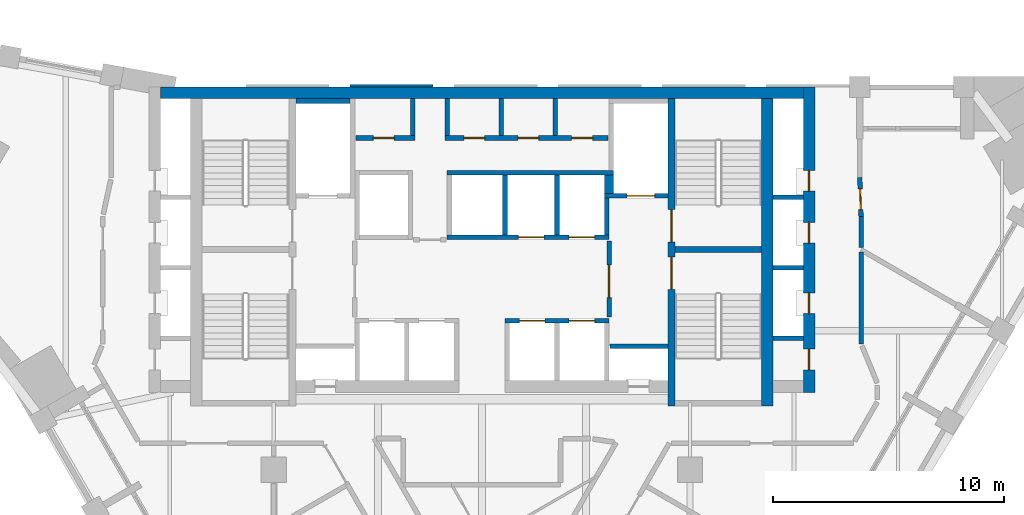
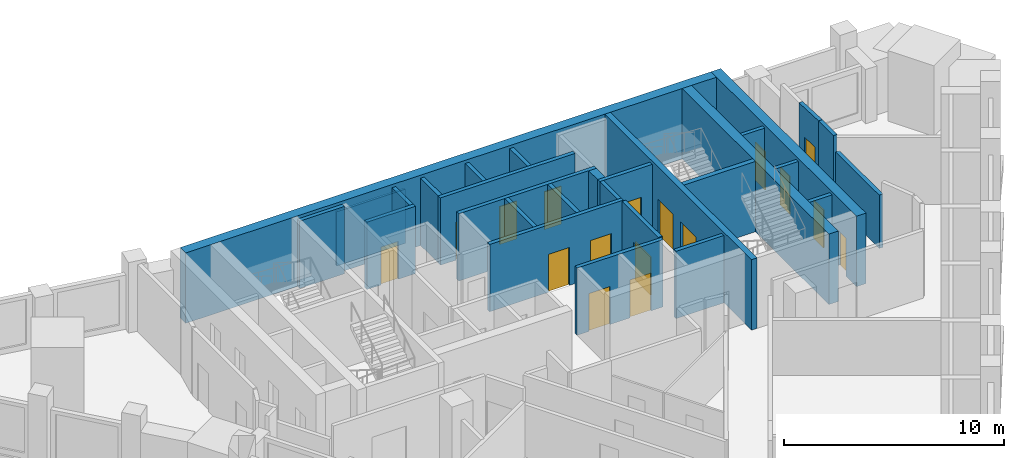
# One storey, part 6 of 9: 29 walls, 17 doors, 17 openings.
"""IFC4 building model written with IfcOpenShell, lengths in metres."""

from ifc_helpers import new_model, si_unit, direction, frame, frame_2d, origin, place, context, subcontext, project, spatial, polyline, rectangle, outline, extrude, material, layer, layer_set, type_object, element, fill, save


model = new_model("IFC4")

# Units and contexts
model_context = context("Model", 3, precision=1e-05, world=origin(), true_north=direction((0.0, 1.0)))
body_context = subcontext(model_context, "Body", "Model", "MODEL_VIEW")
ifc_project = project(units=[si_unit("LENGTHUNIT", "METRE"), si_unit("AREAUNIT", "SQUARE_METRE"), si_unit("VOLUMEUNIT", "CUBIC_METRE"), si_unit("PLANEANGLEUNIT", "RADIAN"), si_unit("MASSUNIT", "GRAM", prefix="KILO")], contexts=[model_context])

# Site, building, storey
site_placement = place(None, origin())
site = spatial("IfcSite", under=ifc_project, at=site_placement, CompositionType="ELEMENT")
building_placement = place(site_placement, origin())
building = spatial("IfcBuilding", under=site, at=building_placement, Name="Calabash Gate Tower", CompositionType="ELEMENT")
storey_placement = place(building_placement, frame((0.0, 0.0, 223.699951171875)))
storey = spatial("IfcBuildingStorey", under=building, at=storey_placement, Name="L53", CompositionType="ELEMENT", Elevation=223.699951171875)

# Walls
ifc_material_1 = material(Name="Gypsum board on steel studs, mineral wool", Category="steel")
ifc_layer_1 = layer(ifc_material_1, 0.199951171875)
ifc_layer_set_1 = layer_set([ifc_layer_1], Name="Core partition 200 gypsum board")
wall_type_1 = type_object("IfcWallType", Name="Core partition 200 gypsum board", PredefinedType="PARTITIONING", material=ifc_layer_set_1)
for number, where, z_axis, x_axis, name in (
    (1, (-3.0, 16.95263671875, 0.0), (0.0, 0.0, 1.0), (0.0, 1.0, 0.0), "Core partition"),
    (2, (-1.5, 16.95263671875, 0.0), (0.0, 0.0, 1.0), (0.0, 1.0, 0.0), "Core partition"),
    (3, (0.833251953125, 16.95263671875, 0.0), (0.0, 0.0, 1.0), (0.0, 1.0, 0.0), "Core partition"),
    (4, (3.166748046875, 16.95263671875, 0.0), (0.0, 0.0, 1.0), (0.0, 1.0, 0.0), "Core partition"),
):
    element("IfcWall", number, at=place(storey_placement, frame(where, z_axis=z_axis, x_axis=x_axis)), inside=storey, type_object=wall_type_1, Name=name, PredefinedType="PARTITIONING", context=body_context, shape_type="SweptSolid", body=[
        extrude(rectangle(XDim=1.599853515625, YDim=0.199951171875, at=frame_2d((0.7998046875, 0.0))), origin(), (0.0, 0.0, 1.0), 3.72998046875),
    ])
ifc_material_2 = material(Name="Concrete C70/85", Category="concrete")
ifc_layer_2 = layer(ifc_material_2, 0.25)
ifc_layer_set_2 = layer_set([ifc_layer_2], Name="Core wall 250 Concrete C70/85")
wall_type_2 = type_object("IfcWallType", Name="Core wall 250 Concrete C70/85", PredefinedType="SHEAR", material=ifc_layer_set_2)
wall_1_placement = place(storey_placement, frame((8.35009765625, 12.027587890625, 0.0), z_axis=(0.0, 0.0, 1.0), x_axis=(1.0, 0.0, 0.0)))
element("IfcWall", 5, at=wall_1_placement, inside=storey, type_object=wall_type_2, Name="Core wall Z4-MIDE L53", PredefinedType="SHEAR", context=body_context, shape_type="SweptSolid", body=[
    extrude(rectangle(XDim=3.75, YDim=0.25, at=frame_2d((1.875, 0.0))), origin(), (0.0, 0.0, 1.0), 3.900146484375),
])

# Wall, openings, doors
ifc_material_3 = material(Name="Concrete C70/85", Category="concrete")
ifc_layer_3 = layer(ifc_material_3, 0.300048828125)
ifc_layer_set_3 = layer_set([ifc_layer_3], Name="Core wall 300 Concrete C70/85")
wall_type_3 = type_object("IfcWallType", Name="Core wall 300 Concrete C70/85", PredefinedType="SHEAR", material=ifc_layer_set_3)
wall_2_placement = place(storey_placement, frame((8.199951171875, 5.252685546875, 0.0), z_axis=(0.0, 0.0, 1.0), x_axis=(0.0, 1.0, 0.0)))
wall_2 = element("IfcWall", 6, at=wall_2_placement, inside=storey, type_object=wall_type_3, Name="Core wall Z4-PARTE L53", PredefinedType="SHEAR", context=body_context, shape_type="SweptSolid", body=[
    extrude(rectangle(XDim=13.2998046875, YDim=0.300048828125, at=frame_2d((6.64990234375, 0.0))), origin(), (0.0, 0.0, 1.0), 3.900146484375),
])
opening_1_placement = place(wall_2_placement, frame((7.10009765625, 0.0, 0.0)))
opening_1 = element("IfcOpeningElement", 7, at=opening_1_placement, cuts=wall_2, Name="Opening O7-020", PredefinedType="OPENING", context=body_context, shape_type="SweptSolid", body=[
    extrude(rectangle(XDim=1.39990234375, YDim=2.10009765625, at=frame_2d((0.699951171875, 1.050048828125))), frame((0.0, 0.159912109375, 0.0), z_axis=(0.0, -1.0, 0.0), x_axis=(1.0, 0.0, 0.0)), (0.0, 0.0, 1.0), 0.320068359375),
])
opening_2_placement = place(wall_2_placement, frame((5.050048828125, 0.0, 0.0)))
opening_2 = element("IfcOpeningElement", 8, at=opening_2_placement, cuts=wall_2, Name="Opening O7-021", PredefinedType="OPENING", context=body_context, shape_type="SweptSolid", body=[
    extrude(rectangle(XDim=1.39990234375, YDim=2.10009765625, at=frame_2d((0.699951171875, 1.050048828125))), frame((0.0, 0.159912109375, 0.0), z_axis=(0.0, -1.0, 0.0), x_axis=(1.0, 0.0, 0.0)), (0.0, 0.0, 1.0), 0.320068359375),
])
ifc_material_4 = material(Name="Steel fire door set with fire-resisting glazing", Category="steel")
door_type_1 = type_object("IfcDoorType", Name="Fire door D05 1400x2100 FD90", OperationType="NOTDEFINED", PredefinedType="DOOR", material=ifc_material_4)
door_1_placement = place(opening_1_placement, origin())
door_1 = element("IfcDoor", 9, at=door_1_placement, inside=storey, type_object=door_type_1, Name="Exit stair door ST3", OperationType="SINGLE_SWING_RIGHT", OverallHeight=2.10009765625, OverallWidth=1.39990234375, PredefinedType="DOOR", context=body_context, shape_type="SweptSolid", body=[
    extrude(rectangle(XDim=1.39990234375, YDim=2.10009765625, at=frame_2d((0.699951171875, 1.050048828125))), frame((0.0, 0.02490234375, 0.0), z_axis=(0.0, -1.0, 0.0), x_axis=(1.0, 0.0, 0.0)), (0.0, 0.0, 1.0), 0.050048828125),
])
fill(opening_1, door_1)
door_2_placement = place(opening_2_placement, origin())
door_2 = element("IfcDoor", 10, at=door_2_placement, inside=storey, type_object=door_type_1, Name="Exit stair door ST4", OperationType="SINGLE_SWING_LEFT", OverallHeight=2.10009765625, OverallWidth=1.39990234375, PredefinedType="DOOR", context=body_context, shape_type="SweptSolid", body=[
    extrude(rectangle(XDim=1.39990234375, YDim=2.10009765625, at=frame_2d((0.699951171875, 1.050048828125))), frame((0.0, 0.02490234375, 0.0), z_axis=(0.0, -1.0, 0.0), x_axis=(1.0, 0.0, 0.0)), (0.0, 0.0, 1.0), 0.050048828125),
])
fill(opening_2, door_2)

# Walls
ifc_material_5 = material(Name="Concrete C70/85", Category="concrete")
ifc_layer_4 = layer(ifc_material_5, 0.5)
ifc_layer_set_4 = layer_set([ifc_layer_4], Name="Core wall 500 Concrete C70/85")
wall_type_4 = type_object("IfcWallType", Name="Core wall 500 Concrete C70/85", PredefinedType="SHEAR", material=ifc_layer_set_4)
wall_3_placement = place(storey_placement, frame((-13.89990234375, 18.802490234375, 0.0), z_axis=(0.0, 0.0, 1.0), x_axis=(1.0, 0.0, 0.0)))
element("IfcWall", 11, at=wall_3_placement, inside=storey, type_object=wall_type_4, Name="Core wall Z4-N L53", PredefinedType="SHEAR", context=body_context, shape_type="SweptSolid", body=[
    extrude(rectangle(XDim=27.7998046875, YDim=0.5, at=frame_2d((13.89990234375, 0.0))), origin(), (0.0, 0.0, 1.0), 3.900146484375),
])
wall_4_placement = place(storey_placement, frame((12.35009765625, 5.252685546875, 0.0), z_axis=(0.0, 0.0, 1.0), x_axis=(0.0, 1.0, 0.0)))
element("IfcWall", 12, at=wall_4_placement, inside=storey, type_object=wall_type_4, Name="Core wall Z4-COLE L53", PredefinedType="SHEAR", context=body_context, shape_type="SweptSolid", body=[
    extrude(rectangle(XDim=13.2998046875, YDim=0.5, at=frame_2d((6.64990234375, 0.0))), origin(), (0.0, 0.0, 1.0), 3.900146484375),
])

# Wall, openings, doors
wall_5_placement = place(storey_placement, frame((14.14990234375, 5.8525390625, 0.0), z_axis=(0.0, 0.0, 1.0), x_axis=(0.0, 1.0, 0.0)))
wall_5 = element("IfcWall", 13, at=wall_5_placement, inside=storey, type_object=wall_type_4, Name="Core wall Z4-ENDE L53", PredefinedType="SHEAR", context=body_context, shape_type="SweptSolid", body=[
    extrude(rectangle(XDim=13.199951171875, YDim=0.5, at=frame_2d((6.60009765625, 0.0))), origin(), (0.0, 0.0, 1.0), 3.900146484375),
])
opening_3_placement = place(wall_5_placement, frame((0.965087890625, 0.0, 0.0)))
opening_3 = element("IfcOpeningElement", 14, at=opening_3_placement, cuts=wall_5, Name="Opening O7-001", PredefinedType="OPENING", context=body_context, shape_type="SweptSolid", body=[
    extrude(rectangle(XDim=0.89990234375, YDim=2.10009765625, at=frame_2d((0.449951171875, 1.050048828125))), frame((0.0, 0.260009765625, 0.0), z_axis=(0.0, -1.0, 0.0), x_axis=(1.0, 0.0, 0.0)), (0.0, 0.0, 1.0), 0.52001953125),
])
opening_4_placement = place(wall_5_placement, frame((3.405029296875, 0.0, 0.0)))
opening_4 = element("IfcOpeningElement", 15, at=opening_4_placement, cuts=wall_5, Name="Opening O7-002", PredefinedType="OPENING", context=body_context, shape_type="SweptSolid", body=[
    extrude(rectangle(XDim=0.89990234375, YDim=2.10009765625, at=frame_2d((0.449951171875, 1.050048828125))), frame((0.0, 0.260009765625, 0.0), z_axis=(0.0, -1.0, 0.0), x_axis=(1.0, 0.0, 0.0)), (0.0, 0.0, 1.0), 0.52001953125),
])
opening_5_placement = place(wall_5_placement, frame((6.455078125, 0.0, 0.0)))
opening_5 = element("IfcOpeningElement", 16, at=opening_5_placement, cuts=wall_5, Name="Opening O7-003", PredefinedType="OPENING", context=body_context, shape_type="SweptSolid", body=[
    extrude(rectangle(XDim=0.89990234375, YDim=2.10009765625, at=frame_2d((0.449951171875, 1.050048828125))), frame((0.0, 0.260009765625, 0.0), z_axis=(0.0, -1.0, 0.0), x_axis=(1.0, 0.0, 0.0)), (0.0, 0.0, 1.0), 0.52001953125),
])
opening_6_placement = place(wall_5_placement, frame((8.697509765625, 0.0, 0.0)))
opening_6 = element("IfcOpeningElement", 17, at=opening_6_placement, cuts=wall_5, Name="Opening O7-004", PredefinedType="OPENING", context=body_context, shape_type="SweptSolid", body=[
    extrude(rectangle(XDim=0.89990234375, YDim=2.10009765625, at=frame_2d((0.449951171875, 1.050048828125))), frame((0.0, 0.260009765625, 0.0), z_axis=(0.0, -1.0, 0.0), x_axis=(1.0, 0.0, 0.0)), (0.0, 0.0, 1.0), 0.52001953125),
])
ifc_material_6 = material(Name="Steel fire door set with fire-resisting glazing", Category="steel")
door_type_2 = type_object("IfcDoorType", Name="Fire door D06 900x2100 FD60", OperationType="NOTDEFINED", PredefinedType="DOOR", material=ifc_material_6)
door_3_placement = place(opening_3_placement, origin())
door_3 = element("IfcDoor", 18, at=door_3_placement, inside=storey, type_object=door_type_2, Name="Cleaner's Store door", OperationType="SINGLE_SWING_LEFT", OverallHeight=2.10009765625, OverallWidth=0.89990234375, PredefinedType="DOOR", context=body_context, shape_type="SweptSolid", body=[
    extrude(rectangle(XDim=0.89990234375, YDim=2.10009765625, at=frame_2d((0.449951171875, 1.050048828125))), frame((0.0, 0.02490234375, 0.0), z_axis=(0.0, -1.0, 0.0), x_axis=(1.0, 0.0, 0.0)), (0.0, 0.0, 1.0), 0.050048828125),
])
fill(opening_3, door_3)
door_4_placement = place(opening_4_placement, origin())
door_4 = element("IfcDoor", 19, at=door_4_placement, inside=storey, type_object=door_type_2, Name="Duct Riser door", OperationType="SINGLE_SWING_RIGHT", OverallHeight=2.10009765625, OverallWidth=0.89990234375, PredefinedType="DOOR", context=body_context, shape_type="SweptSolid", body=[
    extrude(rectangle(XDim=0.89990234375, YDim=2.10009765625, at=frame_2d((0.449951171875, 1.050048828125))), frame((0.0, 0.02490234375, 0.0), z_axis=(0.0, -1.0, 0.0), x_axis=(1.0, 0.0, 0.0)), (0.0, 0.0, 1.0), 0.050048828125),
])
fill(opening_4, door_4)
door_5_placement = place(opening_5_placement, origin())
door_5 = element("IfcDoor", 20, at=door_5_placement, inside=storey, type_object=door_type_2, Name="Electrical Riser door", OperationType="SINGLE_SWING_LEFT", OverallHeight=2.10009765625, OverallWidth=0.89990234375, PredefinedType="DOOR", context=body_context, shape_type="SweptSolid", body=[
    extrude(rectangle(XDim=0.89990234375, YDim=2.10009765625, at=frame_2d((0.449951171875, 1.050048828125))), frame((0.0, 0.02490234375, 0.0), z_axis=(0.0, -1.0, 0.0), x_axis=(1.0, 0.0, 0.0)), (0.0, 0.0, 1.0), 0.050048828125),
])
fill(opening_5, door_5)
door_6_placement = place(opening_6_placement, origin())
door_6 = element("IfcDoor", 21, at=door_6_placement, inside=storey, type_object=door_type_2, Name="Comms Riser door", OperationType="SINGLE_SWING_LEFT", OverallHeight=2.10009765625, OverallWidth=0.89990234375, PredefinedType="DOOR", context=body_context, shape_type="SweptSolid", body=[
    extrude(rectangle(XDim=0.89990234375, YDim=2.10009765625, at=frame_2d((0.449951171875, 1.050048828125))), frame((0.0, 0.02490234375, 0.0), z_axis=(0.0, -1.0, 0.0), x_axis=(1.0, 0.0, 0.0)), (0.0, 0.0, 1.0), 0.050048828125),
])
fill(opening_6, door_6)

# Walls
ifc_material_7 = material(Name="Gypsum board on steel studs, mineral wool", Category="steel")
ifc_layer_5 = layer(ifc_material_7, 0.199951171875)
ifc_layer_set_5 = layer_set([ifc_layer_5], Name="Partition 200 gypsum board EI 60")
wall_type_5 = type_object("IfcWallType", Name="Partition 200 gypsum board EI 60", PredefinedType="PARTITIONING", material=ifc_layer_set_5)
wall_6_placement = place(storey_placement, frame((16.400390625, 7.95263671875, 0.0), z_axis=(0.0, 0.0, 1.0), x_axis=(0.00043151272, 0.999999906898, 0.0)))
element("IfcWall", 22, at=wall_6_placement, inside=storey, type_object=wall_type_5, Name="Partition", PredefinedType="PARTITIONING", context=body_context, shape_type="SweptSolid", body=[
    extrude(rectangle(XDim=3.96044921875, YDim=0.199951171875, at=frame_2d((1.980224609375, 0.0))), origin(), (0.0, 0.0, 1.0), 2.9501953125),
])
wall_7_placement = place(storey_placement, frame((16.400390625, 13.45263671875, 0.0), z_axis=(0.0, 0.0, 1.0), x_axis=(0.001093692383, -0.999999401918, 0.0)))
element("IfcWall", 23, at=wall_7_placement, inside=storey, type_object=wall_type_5, Name="Partition", PredefinedType="PARTITIONING", context=body_context, shape_type="SweptSolid", body=[
    extrude(rectangle(XDim=1.33935546875, YDim=0.199951171875, at=frame_2d((0.669677734375, 0.0))), origin(), (0.0, 0.0, 1.0), 3.72998046875),
])

# Wall, opening, door
wall_8_placement = place(storey_placement, frame((16.344482421875, 15.152587890625, 0.0), z_axis=(0.0, 0.0, 1.0), x_axis=(0.032870350984, -0.99945962401, 0.0)))
wall_8 = element("IfcWall", 24, at=wall_8_placement, inside=storey, type_object=wall_type_5, Name="Partition", PredefinedType="PARTITIONING", context=body_context, shape_type="SweptSolid", body=[
    extrude(rectangle(XDim=1.700927734375, YDim=0.199951171875, at=frame_2d((0.8505859375, 0.0))), origin(), (0.0, 0.0, 1.0), 3.72998046875),
])
opening_7_placement = place(wall_8_placement, frame((0.50048828125, 0.0, 0.0)))
opening_7 = element("IfcOpeningElement", 25, at=opening_7_placement, cuts=wall_8, Name="Opening 52-54-010", PredefinedType="OPENING", context=body_context, shape_type="SweptSolid", body=[
    extrude(rectangle(XDim=0.89990234375, YDim=2.10009765625, at=frame_2d((0.449951171875, 1.050048828125))), frame((0.0, 0.10986328125, 0.0), z_axis=(0.0, -1.0, 0.0), x_axis=(1.0, 0.0, 0.0)), (0.0, 0.0, 1.0), 0.219970703125),
])
ifc_material_8 = material(Name="Steel fire door set with fire-resisting glazing", Category="steel")
door_type_3 = type_object("IfcDoorType", Name="SD3 Store door 900x2100", OperationType="NOTDEFINED", PredefinedType="DOOR", material=ifc_material_8)
door_7_placement = place(opening_7_placement, origin())
door_7 = element("IfcDoor", 26, at=door_7_placement, inside=storey, type_object=door_type_3, Name="Store door", OperationType="SINGLE_SWING_RIGHT", OverallHeight=2.10009765625, OverallWidth=0.89990234375, PredefinedType="DOOR", context=body_context, shape_type="SweptSolid", body=[
    extrude(rectangle(XDim=0.89990234375, YDim=2.10009765625, at=frame_2d((0.449951171875, 1.050048828125))), frame((0.0, 0.02490234375, 0.0), z_axis=(0.0, -1.0, 0.0), x_axis=(1.0, 0.0, 0.0)), (0.0, 0.0, 1.0), 0.050048828125),
])
fill(opening_7, door_7)

# Walls
ifc_material_9 = material(Name="Concrete C40/50", Category="concrete")
ifc_layer_6 = layer(ifc_material_9, 0.199951171875)
ifc_layer_set_6 = layer_set([ifc_layer_6], Name="Shaft wall 200 Concrete C40/50")
wall_type_6 = type_object("IfcWallType", Name="Shaft wall 200 Concrete C40/50", PredefinedType="SOLIDWALL", material=ifc_layer_set_6)
wall_9_placement = place(storey_placement, frame((5.550048828125, 7.8525390625, 0.0), z_axis=(0.0, 0.0, 1.0), x_axis=(1.0, 0.0, 0.0)))
element("IfcWall", 27, at=wall_9_placement, inside=storey, type_object=wall_type_6, Name="Shaft wall", PredefinedType="SOLIDWALL", context=body_context, shape_type="SweptSolid", body=[
    extrude(rectangle(XDim=2.5, YDim=0.199951171875, at=frame_2d((1.25, 0.0))), origin(), (0.0, 0.0, 1.0), 3.72998046875),
])
wall_10_placement = place(storey_placement, frame((12.60009765625, 8.1826171875, 0.0), z_axis=(0.0, 0.0, 1.0), x_axis=(1.0, 0.0, 0.0)))
element("IfcWall", 28, at=wall_10_placement, inside=storey, type_object=wall_type_6, Name="Shaft wall", PredefinedType="SOLIDWALL", context=body_context, shape_type="SweptSolid", body=[
    extrude(rectangle(XDim=1.2998046875, YDim=0.199951171875, at=frame_2d((0.64990234375, 0.0))), origin(), (0.0, 0.0, 1.0), 3.72998046875),
])

# Wall, openings, doors
wall_11_placement = place(storey_placement, frame((1.0, 8.95263671875, 0.0), z_axis=(0.0, 0.0, 1.0), x_axis=(1.0, 0.0, 0.0)))
wall_11 = element("IfcWall", 29, at=wall_11_placement, inside=storey, type_object=wall_type_6, Name="Shaft wall", PredefinedType="SOLIDWALL", context=body_context, shape_type="SweptSolid", body=[
    extrude(rectangle(XDim=4.5, YDim=0.199951171875, at=frame_2d((2.25, 0.0))), origin(), (0.0, 0.0, 1.0), 3.72998046875),
])
opening_8_placement = place(wall_11_placement, frame((0.625, 0.0, 0.0)))
opening_8 = element("IfcOpeningElement", 30, at=opening_8_placement, cuts=wall_11, Name="Opening LD-HR3", PredefinedType="OPENING", context=body_context, shape_type="SweptSolid", body=[
    extrude(rectangle(XDim=1.10009765625, YDim=2.10009765625, at=frame_2d((0.550048828125, 1.050048828125))), frame((0.0, 0.10986328125, 0.0), z_axis=(0.0, -1.0, 0.0), x_axis=(1.0, 0.0, 0.0)), (0.0, 0.0, 1.0), 0.219970703125),
])
opening_9_placement = place(wall_11_placement, frame((2.77490234375, 0.0, 0.0)))
opening_9 = element("IfcOpeningElement", 31, at=opening_9_placement, cuts=wall_11, Name="Opening LD-HR4", PredefinedType="OPENING", context=body_context, shape_type="SweptSolid", body=[
    extrude(rectangle(XDim=1.10009765625, YDim=2.10009765625, at=frame_2d((0.550048828125, 1.050048828125))), frame((0.0, 0.10986328125, 0.0), z_axis=(0.0, -1.0, 0.0), x_axis=(1.0, 0.0, 0.0)), (0.0, 0.0, 1.0), 0.219970703125),
])
ifc_material_10 = material(Name="Stainless steel sliding door leaves", Category="steel")
door_type_4 = type_object("IfcDoorType", Name="Lift landing door LS1 1100x2100 FD90", OperationType="DOUBLE_DOOR_SLIDING", PredefinedType="DOOR", material=ifc_material_10)
door_8_placement = place(opening_8_placement, origin())
door_8 = element("IfcDoor", 32, at=door_8_placement, inside=storey, type_object=door_type_4, Name="Lift landing door HR3", OperationType="DOUBLE_DOOR_SLIDING", OverallHeight=2.10009765625, OverallWidth=1.10009765625, PredefinedType="DOOR", context=body_context, shape_type="SweptSolid", body=[
    extrude(rectangle(XDim=1.10009765625, YDim=2.10009765625, at=frame_2d((0.550048828125, 1.050048828125))), frame((0.0, 0.02490234375, 0.0), z_axis=(0.0, -1.0, 0.0), x_axis=(1.0, 0.0, 0.0)), (0.0, 0.0, 1.0), 0.050048828125),
])
fill(opening_8, door_8)
door_9_placement = place(opening_9_placement, origin())
door_9 = element("IfcDoor", 33, at=door_9_placement, inside=storey, type_object=door_type_4, Name="Lift landing door HR4", OperationType="DOUBLE_DOOR_SLIDING", OverallHeight=2.10009765625, OverallWidth=1.10009765625, PredefinedType="DOOR", context=body_context, shape_type="SweptSolid", body=[
    extrude(rectangle(XDim=1.10009765625, YDim=2.10009765625, at=frame_2d((0.550048828125, 1.050048828125))), frame((0.0, 0.02490234375, 0.0), z_axis=(0.0, -1.0, 0.0), x_axis=(1.0, 0.0, 0.0)), (0.0, 0.0, 1.0), 0.050048828125),
])
fill(opening_9, door_9)

# Wall, opening, door
wall_12_placement = place(storey_placement, frame((5.5, 9.1025390625, 0.0), z_axis=(0.0, 0.0, 1.0), x_axis=(0.0, 1.0, 0.0)))
wall_12 = element("IfcWall", 34, at=wall_12_placement, inside=storey, type_object=wall_type_6, Name="Shaft wall", PredefinedType="SOLIDWALL", context=body_context, shape_type="SweptSolid", body=[
    extrude(rectangle(XDim=3.300048828125, YDim=0.199951171875, at=frame_2d((1.64990234375, 0.0))), origin(), (0.0, 0.0, 1.0), 3.72998046875),
])
opening_10_placement = place(wall_12_placement, frame((0.85009765625, 0.0, 0.0)))
opening_10 = element("IfcOpeningElement", 35, at=opening_10_placement, cuts=wall_12, Name="Opening O7-010", PredefinedType="OPENING", context=body_context, shape_type="SweptSolid", body=[
    extrude(rectangle(XDim=1.39990234375, YDim=2.10009765625, at=frame_2d((0.699951171875, 1.050048828125))), frame((0.0, 0.10986328125, 0.0), z_axis=(0.0, -1.0, 0.0), x_axis=(1.0, 0.0, 0.0)), (0.0, 0.0, 1.0), 0.219970703125),
])
door_10_placement = place(opening_10_placement, origin())
door_10 = element("IfcDoor", 36, at=door_10_placement, inside=storey, type_object=door_type_1, Name="Firefighting Lobby E door", OperationType="SINGLE_SWING_LEFT", OverallHeight=2.10009765625, OverallWidth=1.39990234375, PredefinedType="DOOR", context=body_context, shape_type="SweptSolid", body=[
    extrude(rectangle(XDim=1.39990234375, YDim=2.10009765625, at=frame_2d((0.699951171875, 1.050048828125))), frame((0.0, 0.02490234375, 0.0), z_axis=(0.0, -1.0, 0.0), x_axis=(1.0, 0.0, 0.0)), (0.0, 0.0, 1.0), 0.050048828125),
])
fill(opening_10, door_10)

# Wall
wall_13_placement = place(storey_placement, frame((12.60009765625, 11.232666015625, 0.0), z_axis=(0.0, 0.0, 1.0), x_axis=(1.0, 0.0, 0.0)))
element("IfcWall", 37, at=wall_13_placement, inside=storey, type_object=wall_type_6, Name="Shaft wall", PredefinedType="SOLIDWALL", context=body_context, shape_type="SweptSolid", body=[
    extrude(rectangle(XDim=1.2998046875, YDim=0.199951171875, at=frame_2d((0.64990234375, 0.0))), origin(), (0.0, 0.0, 1.0), 3.72998046875),
])

# Wall, openings, doors
wall_14_placement = place(storey_placement, frame((-1.5, 12.552490234375, 0.0), z_axis=(0.0, 0.0, 1.0), x_axis=(1.0, 0.0, 0.0)))
wall_14 = element("IfcWall", 38, at=wall_14_placement, inside=storey, type_object=wall_type_6, Name="Shaft wall", PredefinedType="SOLIDWALL", context=body_context, shape_type="SweptSolid", body=[
    extrude(rectangle(XDim=7.0, YDim=0.199951171875, at=frame_2d((3.5, 0.0))), origin(), (0.0, 0.0, 1.0), 3.72998046875),
])
opening_11_placement = place(wall_14_placement, frame((3.074951171875, 0.0, 0.0)))
opening_11 = element("IfcOpeningElement", 39, at=opening_11_placement, cuts=wall_14, Name="Opening LD-HR5", PredefinedType="OPENING", context=body_context, shape_type="SweptSolid", body=[
    extrude(rectangle(XDim=1.10009765625, YDim=2.10009765625, at=frame_2d((0.550048828125, 1.050048828125))), frame((0.0, 0.10986328125, 0.0), z_axis=(0.0, -1.0, 0.0), x_axis=(1.0, 0.0, 0.0)), (0.0, 0.0, 1.0), 0.219970703125),
])
opening_12_placement = place(wall_14_placement, frame((5.27490234375, 0.0, 0.0)))
opening_12 = element("IfcOpeningElement", 40, at=opening_12_placement, cuts=wall_14, Name="Opening LD-HR6", PredefinedType="OPENING", context=body_context, shape_type="SweptSolid", body=[
    extrude(rectangle(XDim=1.10009765625, YDim=2.10009765625, at=frame_2d((0.550048828125, 1.050048828125))), frame((0.0, 0.10986328125, 0.0), z_axis=(0.0, -1.0, 0.0), x_axis=(1.0, 0.0, 0.0)), (0.0, 0.0, 1.0), 0.219970703125),
])
door_11_placement = place(opening_11_placement, origin())
door_11 = element("IfcDoor", 41, at=door_11_placement, inside=storey, type_object=door_type_4, Name="Lift landing door HR5", OperationType="DOUBLE_DOOR_SLIDING", OverallHeight=2.10009765625, OverallWidth=1.10009765625, PredefinedType="DOOR", context=body_context, shape_type="SweptSolid", body=[
    extrude(rectangle(XDim=1.10009765625, YDim=2.10009765625, at=frame_2d((0.550048828125, 1.050048828125))), frame((0.0, 0.02490234375, 0.0), z_axis=(0.0, -1.0, 0.0), x_axis=(1.0, 0.0, 0.0)), (0.0, 0.0, 1.0), 0.050048828125),
])
fill(opening_11, door_11)
door_12_placement = place(opening_12_placement, origin())
door_12 = element("IfcDoor", 42, at=door_12_placement, inside=storey, type_object=door_type_4, Name="Lift landing door HR6", OperationType="DOUBLE_DOOR_SLIDING", OverallHeight=2.10009765625, OverallWidth=1.10009765625, PredefinedType="DOOR", context=body_context, shape_type="SweptSolid", body=[
    extrude(rectangle(XDim=1.10009765625, YDim=2.10009765625, at=frame_2d((0.550048828125, 1.050048828125))), frame((0.0, 0.02490234375, 0.0), z_axis=(0.0, -1.0, 0.0), x_axis=(1.0, 0.0, 0.0)), (0.0, 0.0, 1.0), 0.050048828125),
])
fill(opening_12, door_12)

# Walls
for number, where, z_axis, x_axis, name in (
    (43, (1.0, 12.652587890625, 0.0), (0.0, 0.0, 1.0), (0.0, 1.0, 0.0), "Shaft wall"),
    (44, (3.25, 12.652587890625, 0.0), (0.0, 0.0, 1.0), (0.0, 1.0, 0.0), "Shaft wall"),
):
    element("IfcWall", number, at=place(storey_placement, frame(where, z_axis=z_axis, x_axis=x_axis)), inside=storey, type_object=wall_type_6, Name=name, PredefinedType="SOLIDWALL", context=body_context, shape_type="SweptSolid", body=[
        extrude(rectangle(XDim=2.60009765625, YDim=0.199951171875, at=frame_2d((1.300048828125, 0.0))), origin(), (0.0, 0.0, 1.0), 3.72998046875),
    ])
wall_15_placement = place(storey_placement, frame((5.39990234375, 12.652587890625, 0.0), z_axis=(0.0, 0.0, 1.0), x_axis=(0.0, 1.0, 0.0)))
element("IfcWall", 45, at=wall_15_placement, inside=storey, type_object=wall_type_6, Name="Shaft wall", PredefinedType="SOLIDWALL", context=body_context, shape_type="SweptSolid", body=[
    extrude(rectangle(XDim=1.60009765625, YDim=0.199951171875, at=frame_2d((0.800048828125, 0.0))), origin(), (0.0, 0.0, 1.0), 3.72998046875),
])
wall_16_placement = place(storey_placement, frame((12.60009765625, 14.28271484375, 0.0), z_axis=(0.0, 0.0, 1.0), x_axis=(1.0, 0.0, 0.0)))
element("IfcWall", 46, at=wall_16_placement, inside=storey, type_object=wall_type_6, Name="Shaft wall", PredefinedType="SOLIDWALL", context=body_context, shape_type="SweptSolid", body=[
    extrude(rectangle(XDim=1.2998046875, YDim=0.199951171875, at=frame_2d((0.64990234375, 0.0))), origin(), (0.0, 0.0, 1.0), 3.72998046875),
])

# Wall, opening, door
wall_17_placement = place(storey_placement, frame((5.300048828125, 14.3525390625, 0.0), z_axis=(0.0, 0.0, 1.0), x_axis=(1.0, 0.0, 0.0)))
wall_17 = element("IfcWall", 47, at=wall_17_placement, inside=storey, type_object=wall_type_6, Name="Shaft wall", PredefinedType="SOLIDWALL", context=body_context, shape_type="SweptSolid", body=[
    extrude(rectangle(XDim=2.75, YDim=0.199951171875, at=frame_2d((1.375, 0.0))), origin(), (0.0, 0.0, 1.0), 3.72998046875),
])
opening_13_placement = place(wall_17_placement, frame((0.97509765625, 0.0, 0.0)))
opening_13 = element("IfcOpeningElement", 48, at=opening_13_placement, cuts=wall_17, Name="Opening LD-FF2", PredefinedType="OPENING", context=body_context, shape_type="SweptSolid", body=[
    extrude(rectangle(XDim=1.199951171875, YDim=2.10009765625, at=frame_2d((0.60009765625, 1.050048828125))), frame((0.0, 0.10986328125, 0.0), z_axis=(0.0, -1.0, 0.0), x_axis=(1.0, 0.0, 0.0)), (0.0, 0.0, 1.0), 0.219970703125),
])
ifc_material_11 = material(Name="Stainless steel sliding door leaves", Category="steel")
door_type_5 = type_object("IfcDoorType", Name="Lift landing door LS3 1200x2100 FD90", OperationType="DOUBLE_DOOR_SLIDING", PredefinedType="DOOR", material=ifc_material_11)
door_13_placement = place(opening_13_placement, origin())
door_13 = element("IfcDoor", 49, at=door_13_placement, inside=storey, type_object=door_type_5, Name="Lift landing door FF2", OperationType="DOUBLE_DOOR_SLIDING", OverallHeight=2.10009765625, OverallWidth=1.199951171875, PredefinedType="DOOR", context=body_context, shape_type="SweptSolid", body=[
    extrude(rectangle(XDim=1.199951171875, YDim=2.10009765625, at=frame_2d((0.60009765625, 1.050048828125))), frame((0.0, 0.02490234375, 0.0), z_axis=(0.0, -1.0, 0.0), x_axis=(1.0, 0.0, 0.0)), (0.0, 0.0, 1.0), 0.050048828125),
])
fill(opening_13, door_13)

# Walls
wall_18_placement = place(storey_placement, frame((5.5, 14.45263671875, 0.0), z_axis=(0.0, 0.0, 1.0), x_axis=(0.0, 1.0, 0.0)))
element("IfcWall", 50, at=wall_18_placement, inside=storey, type_object=wall_type_6, Name="Shaft wall", PredefinedType="SOLIDWALL", context=body_context, shape_type="SweptSolid", body=[
    extrude(rectangle(XDim=0.800048828125, YDim=0.39990234375, at=frame_2d((0.39990234375, 0.0))), origin(), (0.0, 0.0, 1.0), 3.72998046875),
])
wall_19_placement = place(storey_placement, frame((-1.5, 15.3525390625, 0.0), z_axis=(0.0, 0.0, 1.0), x_axis=(1.0, 0.0, 0.0)))
element("IfcWall", 51, at=wall_19_placement, inside=storey, type_object=wall_type_6, Name="Shaft wall", PredefinedType="SOLIDWALL", context=body_context, shape_type="SweptSolid", body=[
    extrude(rectangle(XDim=7.199951171875, YDim=0.199951171875, at=frame_2d((3.60009765625, 0.0))), origin(), (0.0, 0.0, 1.0), 3.72998046875),
])

# Wall, opening, door
wall_20_placement = place(storey_placement, frame((-5.449951171875, 16.8525390625, 0.0), z_axis=(0.0, 0.0, 1.0), x_axis=(1.0, 0.0, 0.0)))
wall_20 = element("IfcWall", 52, at=wall_20_placement, inside=storey, type_object=wall_type_6, Name="Shaft wall", PredefinedType="SOLIDWALL", context=body_context, shape_type="SweptSolid", body=[
    extrude(rectangle(XDim=2.550048828125, YDim=0.199951171875, at=frame_2d((1.27490234375, 0.0))), origin(), (0.0, 0.0, 1.0), 3.72998046875),
])
opening_14_placement = place(wall_20_placement, frame((0.75, 0.0, 0.0)))
opening_14 = element("IfcOpeningElement", 53, at=opening_14_placement, cuts=wall_20, Name="Opening O7-012", PredefinedType="OPENING", context=body_context, shape_type="SweptSolid", body=[
    extrude(rectangle(XDim=0.89990234375, YDim=2.10009765625, at=frame_2d((0.449951171875, 1.050048828125))), frame((0.0, 0.10986328125, 0.0), z_axis=(0.0, -1.0, 0.0), x_axis=(1.0, 0.0, 0.0)), (0.0, 0.0, 1.0), 0.219970703125),
])
door_14_placement = place(opening_14_placement, origin())
door_14 = element("IfcDoor", 54, at=door_14_placement, inside=storey, type_object=door_type_2, Name="Accessible WC door", OperationType="SINGLE_SWING_LEFT", OverallHeight=2.10009765625, OverallWidth=0.89990234375, PredefinedType="DOOR", context=body_context, shape_type="SweptSolid", body=[
    extrude(rectangle(XDim=0.89990234375, YDim=2.10009765625, at=frame_2d((0.449951171875, 1.050048828125))), frame((0.0, 0.02490234375, 0.0), z_axis=(0.0, -1.0, 0.0), x_axis=(1.0, 0.0, 0.0)), (0.0, 0.0, 1.0), 0.050048828125),
])
fill(opening_14, door_14)

# Wall, openings, doors
wall_21_placement = place(storey_placement, frame((-1.60009765625, 16.8525390625, 0.0), z_axis=(0.0, 0.0, 1.0), x_axis=(1.0, 0.0, 0.0)))
wall_21 = element("IfcWall", 55, at=wall_21_placement, inside=storey, type_object=wall_type_6, Name="Shaft wall", PredefinedType="SOLIDWALL", context=body_context, shape_type="SweptSolid", body=[
    extrude(rectangle(XDim=7.050048828125, YDim=0.199951171875, at=frame_2d((3.52490234375, 0.0))), origin(), (0.0, 0.0, 1.0), 3.72998046875),
])
opening_15_placement = place(wall_21_placement, frame((0.816650390625, 0.0, 0.0)))
opening_15 = element("IfcOpeningElement", 56, at=opening_15_placement, cuts=wall_21, Name="Opening O7-013", PredefinedType="OPENING", context=body_context, shape_type="SweptSolid", body=[
    extrude(rectangle(XDim=0.89990234375, YDim=2.10009765625, at=frame_2d((0.449951171875, 1.050048828125))), frame((0.0, 0.10986328125, 0.0), z_axis=(0.0, -1.0, 0.0), x_axis=(1.0, 0.0, 0.0)), (0.0, 0.0, 1.0), 0.219970703125),
])
opening_16_placement = place(wall_21_placement, frame((3.14990234375, 0.0, 0.0)))
opening_16 = element("IfcOpeningElement", 57, at=opening_16_placement, cuts=wall_21, Name="Opening O7-014", PredefinedType="OPENING", context=body_context, shape_type="SweptSolid", body=[
    extrude(rectangle(XDim=0.89990234375, YDim=2.10009765625, at=frame_2d((0.449951171875, 1.050048828125))), frame((0.0, 0.10986328125, 0.0), z_axis=(0.0, -1.0, 0.0), x_axis=(1.0, 0.0, 0.0)), (0.0, 0.0, 1.0), 0.219970703125),
])
opening_17_placement = place(wall_21_placement, frame((5.4833984375, 0.0, 0.0)))
opening_17 = element("IfcOpeningElement", 58, at=opening_17_placement, cuts=wall_21, Name="Opening O7-015", PredefinedType="OPENING", context=body_context, shape_type="SweptSolid", body=[
    extrude(rectangle(XDim=0.89990234375, YDim=2.10009765625, at=frame_2d((0.449951171875, 1.050048828125))), frame((0.0, 0.10986328125, 0.0), z_axis=(0.0, -1.0, 0.0), x_axis=(1.0, 0.0, 0.0)), (0.0, 0.0, 1.0), 0.219970703125),
])
door_15_placement = place(opening_15_placement, origin())
door_15 = element("IfcDoor", 59, at=door_15_placement, inside=storey, type_object=door_type_2, Name="Cleaner's Store door", OperationType="SINGLE_SWING_LEFT", OverallHeight=2.10009765625, OverallWidth=0.89990234375, PredefinedType="DOOR", context=body_context, shape_type="SweptSolid", body=[
    extrude(rectangle(XDim=0.89990234375, YDim=2.10009765625, at=frame_2d((0.449951171875, 1.050048828125))), frame((0.0, 0.02490234375, 0.0), z_axis=(0.0, -1.0, 0.0), x_axis=(1.0, 0.0, 0.0)), (0.0, 0.0, 1.0), 0.050048828125),
])
fill(opening_15, door_15)
door_16_placement = place(opening_16_placement, origin())
door_16 = element("IfcDoor", 60, at=door_16_placement, inside=storey, type_object=door_type_2, Name="Tenant Pantry door", OperationType="SINGLE_SWING_LEFT", OverallHeight=2.10009765625, OverallWidth=0.89990234375, PredefinedType="DOOR", context=body_context, shape_type="SweptSolid", body=[
    extrude(rectangle(XDim=0.89990234375, YDim=2.10009765625, at=frame_2d((0.449951171875, 1.050048828125))), frame((0.0, 0.02490234375, 0.0), z_axis=(0.0, -1.0, 0.0), x_axis=(1.0, 0.0, 0.0)), (0.0, 0.0, 1.0), 0.050048828125),
])
fill(opening_16, door_16)
door_17_placement = place(opening_17_placement, origin())
door_17 = element("IfcDoor", 61, at=door_17_placement, inside=storey, type_object=door_type_2, Name="Print Room door", OperationType="SINGLE_SWING_RIGHT", OverallHeight=2.10009765625, OverallWidth=0.89990234375, PredefinedType="DOOR", context=body_context, shape_type="SweptSolid", body=[
    extrude(rectangle(XDim=0.89990234375, YDim=2.10009765625, at=frame_2d((0.449951171875, 1.050048828125))), frame((0.0, 0.02490234375, 0.0), z_axis=(0.0, -1.0, 0.0), x_axis=(1.0, 0.0, 0.0)), (0.0, 0.0, 1.0), 0.050048828125),
])
fill(opening_17, door_17)

# Walls
wall_22_placement = place(storey_placement, frame((-8.050048828125, 18.45263671875, 0.0), z_axis=(0.0, 0.0, 1.0), x_axis=(1.0, 0.0, 0.0)))
element("IfcWall", 62, at=wall_22_placement, inside=storey, type_object=wall_type_6, Name="Shaft wall", PredefinedType="SOLIDWALL", context=body_context, shape_type="SweptSolid", body=[
    extrude(rectangle(XDim=2.35009765625, YDim=0.199951171875, at=frame_2d((1.175048828125, 0.0))), origin(), (0.0, 0.0, 1.0), 3.72998046875),
])
ifc_material_12 = material(Name="Terracotta louvre blades in an aluminium frame", Category="masonry")
ifc_layer_7 = layer(ifc_material_12, 0.1201171875)
ifc_layer_set_7 = layer_set([ifc_layer_7], Name="Terracotta vent louvre cladding 120")
wall_type_7 = type_object("IfcWallType", Name="Terracotta vent louvre cladding 120", PredefinedType="ELEMENTEDWALL", material=ifc_layer_set_7)
wall_23_placement = place(storey_placement, origin())
element("IfcWall", 63, at=wall_23_placement, inside=storey, type_object=wall_type_7, Name="Vent louvre cladding S15 N4.6", PredefinedType="ELEMENTEDWALL", context=body_context, shape_type="SweptSolid", body=[
    extrude(outline(polyline([(-5.7060546875, 19.172607421875), (-5.7060546875, 19.052490234375), (-2.106201171875, 19.052490234375), (-2.106201171875, 19.172607421875), (-5.7060546875, 19.172607421875)])), origin(), (0.0, 0.0, 1.0), 3.0),
])

save(model, "model.ifc")
